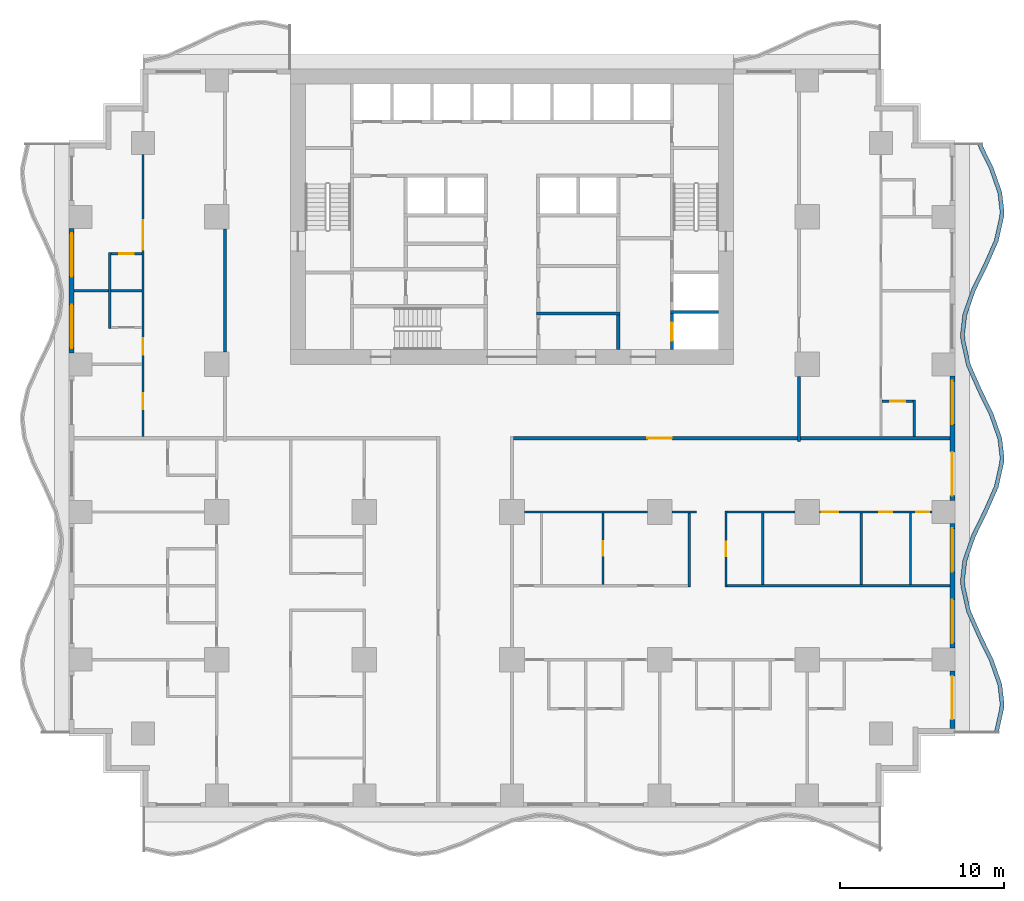
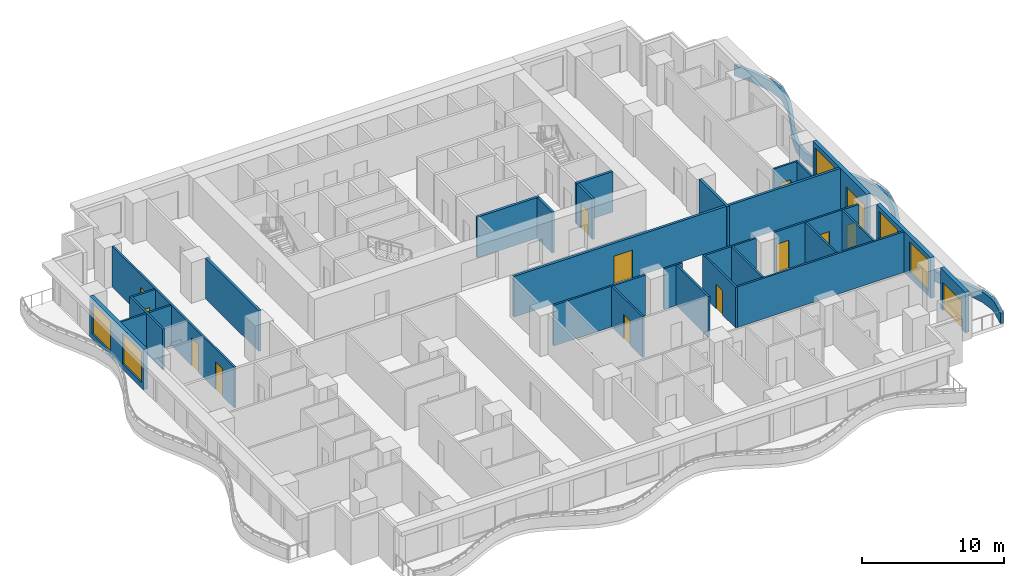
# One storey, part 4 of 14: 31 walls, 14 doors, 5 windows, 19 openings.
"""IFC4 building model written with IfcOpenShell, lengths in metres."""

from ifc_helpers import new_model, si_unit, direction, frame, frame_2d, origin, place, context, subcontext, project, spatial, polyline, rectangle, outline, extrude, material, layer, layer_set, type_object, element, fill, save


model = new_model("IFC4")

# Units and contexts
model_context = context("Model", 3, precision=1e-05, world=origin(), true_north=direction((0.0, 1.0)))
body_context = subcontext(model_context, "Body", "Model", "MODEL_VIEW")
ifc_project = project(units=[si_unit("LENGTHUNIT", "METRE"), si_unit("AREAUNIT", "SQUARE_METRE"), si_unit("VOLUMEUNIT", "CUBIC_METRE"), si_unit("PLANEANGLEUNIT", "RADIAN"), si_unit("MASSUNIT", "GRAM", prefix="KILO")], contexts=[model_context])

# Site, building, storey
site_placement = place(None, origin())
site = spatial("IfcSite", under=ifc_project, at=site_placement, CompositionType="ELEMENT")
building_placement = place(site_placement, origin())
building = spatial("IfcBuilding", under=site, at=building_placement, Name="Orbiselva Terraces", CompositionType="ELEMENT")
storey_placement = place(building_placement, frame((0.0, 0.0, 49.2)))
storey = spatial("IfcBuildingStorey", under=building, at=storey_placement, Name="L12", CompositionType="ELEMENT", Elevation=49.2)

# Walls
ifc_material_1 = material(Name="Concrete C60/75", Category="concrete")
ifc_layer_1 = layer(ifc_material_1, 0.2)
ifc_layer_set_1 = layer_set([ifc_layer_1], Name="Concrete C60/75")
wall_type_1 = type_object("IfcWallType", Name="CORE-WALL-SHEAR-200", PredefinedType="SHEAR", material=ifc_layer_set_1)
wall_1_placement = place(storey_placement, frame((1.5, 7.6, 0.0), z_axis=(0.0, 0.0, 1.0), x_axis=(1.0, 0.0, 0.0)))
element("IfcWall", 1, at=wall_1_placement, inside=storey, type_object=wall_type_1, Name="L12 core wall 30", PredefinedType="SHEAR", context=body_context, shape_type="SweptSolid", body=[
    extrude(rectangle(XDim=5.075, YDim=0.2, at=frame_2d((2.5375, 0.0))), origin(), (0.0, 0.0, 1.0), 3.5),
])
wall_2_placement = place(storey_placement, frame((6.475, 5.4, 0.0), z_axis=(0.0, 0.0, 1.0), x_axis=(0.0, 1.0, 0.0)))
element("IfcWall", 2, at=wall_2_placement, inside=storey, type_object=wall_type_1, Name="L12 core wall 40", PredefinedType="SHEAR", context=body_context, shape_type="SweptSolid", body=[
    extrude(rectangle(XDim=2.1, YDim=0.2, at=frame_2d((1.05, 0.0))), origin(), (0.0, 0.0, 1.0), 3.5),
])

# Wall, opening, door
wall_3_placement = place(storey_placement, frame((9.75, 5.4, 0.0), z_axis=(0.0, 0.0, 1.0), x_axis=(0.0, 1.0, 0.0)))
wall_3 = element("IfcWall", 3, at=wall_3_placement, inside=storey, type_object=wall_type_1, Name="L12 core wall 47", PredefinedType="SHEAR", context=body_context, shape_type="SweptSolid", body=[
    extrude(rectangle(XDim=2.2, YDim=0.2, at=frame_2d((1.1, 0.0))), origin(), (0.0, 0.0, 1.0), 3.5),
])
opening_1_placement = place(wall_3_placement, frame((0.55, 0.0, 0.0)))
opening_1 = element("IfcOpeningElement", 4, at=opening_1_placement, cuts=wall_3, Name="Opening LD-FF1", PredefinedType="OPENING", context=body_context, shape_type="SweptSolid", body=[
    extrude(rectangle(XDim=1.1, YDim=2.1, at=frame_2d((0.55, 1.05))), frame((0.0, 0.11, 0.0), z_axis=(0.0, -1.0, 0.0), x_axis=(1.0, 0.0, 0.0)), (0.0, 0.0, 1.0), 0.22),
])
ifc_material_2 = material(Name="Stainless steel landing door", Category="steel")
door_type_1 = type_object("IfcDoorType", Name="LANDING DOOR 1100", OperationType="SLIDING_TO_LEFT", PredefinedType="DOOR", material=ifc_material_2)
door_1_placement = place(opening_1_placement, origin())
door_1 = element("IfcDoor", 5, at=door_1_placement, inside=storey, type_object=door_type_1, Name="L12 landing door FF1", OperationType="SLIDING_TO_RIGHT", OverallHeight=2.1, OverallWidth=1.1, PredefinedType="DOOR", context=body_context, shape_type="SweptSolid", body=[
    extrude(rectangle(XDim=1.1, YDim=2.1, at=frame_2d((0.55, 1.05))), frame((0.0, 0.025, 0.0), z_axis=(0.0, -1.0, 0.0), x_axis=(1.0, 0.0, 0.0)), (0.0, 0.0, 1.0), 0.05),
])
fill(opening_1, door_1)

# Walls
wall_4_placement = place(storey_placement, frame((9.65, 7.7, 0.0), z_axis=(0.0, 0.0, 1.0), x_axis=(1.0, 0.0, 0.0)))
element("IfcWall", 6, at=wall_4_placement, inside=storey, type_object=wall_type_1, Name="L12 core wall 48", PredefinedType="SHEAR", context=body_context, shape_type="SweptSolid", body=[
    extrude(rectangle(XDim=2.95, YDim=0.2, at=frame_2d((1.475, 0.0))), origin(), (0.0, 0.0, 1.0), 3.5),
])
ifc_material_3 = material(Name="Concrete C40/50", Category="concrete")
ifc_layer_2 = layer(ifc_material_3, 0.25)
ifc_layer_set_2 = layer_set([ifc_layer_2], Name="Concrete C40/50")
wall_type_2 = type_object("IfcWallType", Name="ENV-PLANTER-250x900", PredefinedType="USERDEFINED", material=ifc_layer_set_2)
wall_5_placement = place(storey_placement, origin())
element("IfcWall", 7, at=wall_5_placement, inside=storey, type_object=wall_type_2, Name="Balcony planter L12 E", ObjectType="PLANTER", PredefinedType="USERDEFINED", context=body_context, shape_type="SweptSolid", body=[
    extrude(outline(polyline([(29.648528, -18.0), (29.985226, -16.5), (30.0, -16.125), (29.869208, -15.0), (29.344789, -13.5), (28.612279, -12.0), (27.951472, -10.5), (27.614774, -9.0), (27.6, -8.625), (27.730792, -7.5), (28.255211, -6.0), (28.987721, -4.5), (29.648528, -3.0), (29.985226, -1.5), (30.0, -1.125), (29.869208, 0.0), (29.344789, 1.5), (28.612279, 3.0), (27.951472, 4.5), (27.614774, 6.0), (27.6, 6.375), (27.730792, 7.5), (28.255211, 9.0), (28.987721, 10.5), (29.648528, 12.0), (29.985226, 13.5), (30.0, 13.875), (29.869208, 15.0), (29.344789, 16.5), (28.612279, 18.0), (28.387634, 17.890297), (29.113667, 16.40356), (29.624078, 14.943629), (29.749429, 13.865428), (29.736315, 13.532565), (29.40993, 12.078508), (28.760919, 10.605286), (28.024089, 9.09644), (27.485662, 7.556371), (27.349429, 6.384572), (27.365863, 5.967435), (27.712874, 4.421492), (28.385477, 2.894714), (29.113667, 1.40356), (29.624078, -0.056371), (29.749429, -1.134572), (29.736315, -1.467435), (29.40993, -2.921492), (28.760919, -4.394714), (28.024089, -5.90356), (27.485662, -7.443629), (27.349429, -8.615428), (27.365863, -9.032565), (27.712874, -10.578508), (28.385477, -12.105286), (29.113667, -13.59644), (29.624078, -15.056371), (29.749429, -16.134572), (29.736315, -16.467435), (29.404598, -17.945246), (29.648528, -18.0)])), origin(), (0.0, 0.0, 1.0), 0.9),
])

# Wall, opening, door
ifc_material_4 = material(Name="Terracotta cladding on masonry backing", Category="masonry")
ifc_layer_3 = layer(ifc_material_4, 0.3)
ifc_layer_set_3 = layer_set([ifc_layer_3], Name="Terracotta cladding on masonry backing")
wall_type_3 = type_object("IfcWallType", Name="ENV-WALL-TERRACOTTA-300", PredefinedType="SOLIDWALL", material=ifc_layer_set_3)
wall_6_placement = place(storey_placement, frame((26.85, -14.2, 0.0), z_axis=(0.0, 0.0, 1.0), x_axis=(0.0, -1.0, 0.0)))
wall_6 = element("IfcWall", 8, at=wall_6_placement, inside=storey, type_object=wall_type_3, Name="Facade wall L12 E", PredefinedType="SOLIDWALL", context=body_context, shape_type="SweptSolid", body=[
    extrude(rectangle(XDim=3.5, YDim=0.3, at=frame_2d((1.75, 0.0))), origin(), (0.0, 0.0, 1.0), 3.5),
])
opening_2_placement = place(wall_6_placement, frame((0.3, 0.0, 0.0)))
opening_2 = element("IfcOpeningElement", 9, at=opening_2_placement, cuts=wall_6, Name="Opening Z1-D-E05", PredefinedType="OPENING", context=body_context, shape_type="SweptSolid", body=[
    extrude(rectangle(XDim=2.65, YDim=2.4, at=frame_2d((1.325, 1.2))), frame((0.0, 0.16, 0.0), z_axis=(0.0, -1.0, 0.0), x_axis=(1.0, 0.0, 0.0)), (0.0, 0.0, 1.0), 0.32),
])
ifc_material_5 = material(Name="Clear low-e glazing in aluminium frame", Category="aluminium")
door_type_2 = type_object("IfcDoorType", Name="BALCONY DOOR 2650 X 2400", OperationType="DOUBLE_DOOR_SLIDING", PredefinedType="DOOR", material=ifc_material_5)
door_2_placement = place(opening_2_placement, origin())
door_2 = element("IfcDoor", 10, at=door_2_placement, inside=storey, type_object=door_type_2, Name="Z1-D-E05", OperationType="SINGLE_SWING_LEFT", OverallHeight=2.4, OverallWidth=2.65, PredefinedType="DOOR", context=body_context, shape_type="SweptSolid", body=[
    extrude(rectangle(XDim=2.65, YDim=2.4, at=frame_2d((1.325, 1.2))), frame((0.0, 0.025, 0.0), z_axis=(0.0, -1.0, 0.0), x_axis=(1.0, 0.0, 0.0)), (0.0, 0.0, 1.0), 0.05),
])
fill(opening_2, door_2)

# Wall, openings, windows
wall_7_placement = place(storey_placement, frame((26.85, -5.2, 0.0), z_axis=(0.0, 0.0, 1.0), x_axis=(0.0, -1.0, 0.0)))
wall_7 = element("IfcWall", 11, at=wall_7_placement, inside=storey, type_object=wall_type_3, Name="Facade wall L12 E", PredefinedType="SOLIDWALL", context=body_context, shape_type="SweptSolid", body=[
    extrude(rectangle(XDim=7.6, YDim=0.3, at=frame_2d((3.8, 0.0))), origin(), (0.0, 0.0, 1.0), 3.5),
])
opening_3_placement = place(wall_7_placement, frame((4.65, 0.0, 0.45)))
opening_3 = element("IfcOpeningElement", 12, at=opening_3_placement, cuts=wall_7, Name="Opening WN3", PredefinedType="OPENING", context=body_context, shape_type="SweptSolid", body=[
    extrude(rectangle(XDim=2.65, YDim=2.65, at=frame_2d((1.325, 1.325))), frame((0.0, 0.16, 0.0), z_axis=(0.0, -1.0, 0.0), x_axis=(1.0, 0.0, 0.0)), (0.0, 0.0, 1.0), 0.32),
])
opening_4_placement = place(wall_7_placement, frame((0.3, 0.0, 0.45)))
opening_4 = element("IfcOpeningElement", 13, at=opening_4_placement, cuts=wall_7, Name="Opening WN3", PredefinedType="OPENING", context=body_context, shape_type="SweptSolid", body=[
    extrude(rectangle(XDim=2.65, YDim=2.65, at=frame_2d((1.325, 1.325))), frame((0.0, 0.16, 0.0), z_axis=(0.0, -1.0, 0.0), x_axis=(1.0, 0.0, 0.0)), (0.0, 0.0, 1.0), 0.32),
])
window_type = type_object("IfcWindowType", Name="WINDOW 2650 X 2650 S450", PartitioningType="TRIPLE_PANEL_VERTICAL", PredefinedType="WINDOW", material=ifc_material_5)
window_1_placement = place(opening_3_placement, origin())
window_1 = element("IfcWindow", 14, at=window_1_placement, inside=storey, type_object=window_type, Name="Window L12 E", OverallHeight=2.65, OverallWidth=2.65, PartitioningType="SINGLE_PANEL", PredefinedType="WINDOW", context=body_context, shape_type="SweptSolid", body=[
    extrude(rectangle(XDim=2.65, YDim=2.65, at=frame_2d((1.325, 1.325))), frame((0.0, 0.03, 0.0), z_axis=(0.0, -1.0, 0.0), x_axis=(1.0, 0.0, 0.0)), (0.0, 0.0, 1.0), 0.06),
])
fill(opening_3, window_1)
window_2_placement = place(opening_4_placement, origin())
window_2 = element("IfcWindow", 15, at=window_2_placement, inside=storey, type_object=window_type, Name="Window L12 E", OverallHeight=2.65, OverallWidth=2.65, PartitioningType="SINGLE_PANEL", PredefinedType="WINDOW", context=body_context, shape_type="SweptSolid", body=[
    extrude(rectangle(XDim=2.65, YDim=2.65, at=frame_2d((1.325, 1.325))), frame((0.0, 0.03, 0.0), z_axis=(0.0, -1.0, 0.0), x_axis=(1.0, 0.0, 0.0)), (0.0, 0.0, 1.0), 0.06),
])
fill(opening_4, window_2)

# Wall, openings, door, window
wall_8_placement = place(storey_placement, frame((26.85, 3.8, 0.0), z_axis=(0.0, 0.0, 1.0), x_axis=(0.0, -1.0, 0.0)))
wall_8 = element("IfcWall", 16, at=wall_8_placement, inside=storey, type_object=wall_type_3, Name="Facade wall L12 E", PredefinedType="SOLIDWALL", context=body_context, shape_type="SweptSolid", body=[
    extrude(rectangle(XDim=7.6, YDim=0.3, at=frame_2d((3.8, 0.0))), origin(), (0.0, 0.0, 1.0), 3.5),
])
opening_5_placement = place(wall_8_placement, frame((4.65, 0.0, 0.0)))
opening_5 = element("IfcOpeningElement", 17, at=opening_5_placement, cuts=wall_8, Name="Opening Z1-D-E06", PredefinedType="OPENING", context=body_context, shape_type="SweptSolid", body=[
    extrude(rectangle(XDim=2.65, YDim=2.4, at=frame_2d((1.325, 1.2))), frame((0.0, 0.16, 0.0), z_axis=(0.0, -1.0, 0.0), x_axis=(1.0, 0.0, 0.0)), (0.0, 0.0, 1.0), 0.32),
])
opening_6_placement = place(wall_8_placement, frame((0.3, 0.0, 0.45)))
opening_6 = element("IfcOpeningElement", 18, at=opening_6_placement, cuts=wall_8, Name="Opening WN3", PredefinedType="OPENING", context=body_context, shape_type="SweptSolid", body=[
    extrude(rectangle(XDim=2.65, YDim=2.65, at=frame_2d((1.325, 1.325))), frame((0.0, 0.16, 0.0), z_axis=(0.0, -1.0, 0.0), x_axis=(1.0, 0.0, 0.0)), (0.0, 0.0, 1.0), 0.32),
])
door_3_placement = place(opening_5_placement, origin())
door_3 = element("IfcDoor", 19, at=door_3_placement, inside=storey, type_object=door_type_2, Name="Z1-D-E06", OperationType="SINGLE_SWING_LEFT", OverallHeight=2.4, OverallWidth=2.65, PredefinedType="DOOR", context=body_context, shape_type="SweptSolid", body=[
    extrude(rectangle(XDim=2.65, YDim=2.4, at=frame_2d((1.325, 1.2))), frame((0.0, 0.025, 0.0), z_axis=(0.0, -1.0, 0.0), x_axis=(1.0, 0.0, 0.0)), (0.0, 0.0, 1.0), 0.05),
])
fill(opening_5, door_3)
window_3_placement = place(opening_6_placement, origin())
window_3 = element("IfcWindow", 20, at=window_3_placement, inside=storey, type_object=window_type, Name="Window L12 E", OverallHeight=2.65, OverallWidth=2.65, PartitioningType="SINGLE_PANEL", PredefinedType="WINDOW", context=body_context, shape_type="SweptSolid", body=[
    extrude(rectangle(XDim=2.65, YDim=2.65, at=frame_2d((1.325, 1.325))), frame((0.0, 0.03, 0.0), z_axis=(0.0, -1.0, 0.0), x_axis=(1.0, 0.0, 0.0)), (0.0, 0.0, 1.0), 0.06),
])
fill(opening_6, window_3)

# Wall, openings, windows
wall_9_placement = place(storey_placement, frame((-26.85, 5.2, 0.0), z_axis=(0.0, 0.0, 1.0), x_axis=(0.0, 1.0, 0.0)))
wall_9 = element("IfcWall", 21, at=wall_9_placement, inside=storey, type_object=wall_type_3, Name="Facade wall L12 W", PredefinedType="SOLIDWALL", context=body_context, shape_type="SweptSolid", body=[
    extrude(rectangle(XDim=7.6, YDim=0.3, at=frame_2d((3.8, 0.0))), origin(), (0.0, 0.0, 1.0), 3.5),
])
opening_7_placement = place(wall_9_placement, frame((4.65, 0.0, 0.45)))
opening_7 = element("IfcOpeningElement", 22, at=opening_7_placement, cuts=wall_9, Name="Opening WN3", PredefinedType="OPENING", context=body_context, shape_type="SweptSolid", body=[
    extrude(rectangle(XDim=2.65, YDim=2.65, at=frame_2d((1.325, 1.325))), frame((0.0, 0.16, 0.0), z_axis=(0.0, -1.0, 0.0), x_axis=(1.0, 0.0, 0.0)), (0.0, 0.0, 1.0), 0.32),
])
opening_8_placement = place(wall_9_placement, frame((0.3, 0.0, 0.45)))
opening_8 = element("IfcOpeningElement", 23, at=opening_8_placement, cuts=wall_9, Name="Opening WN3", PredefinedType="OPENING", context=body_context, shape_type="SweptSolid", body=[
    extrude(rectangle(XDim=2.65, YDim=2.65, at=frame_2d((1.325, 1.325))), frame((0.0, 0.16, 0.0), z_axis=(0.0, -1.0, 0.0), x_axis=(1.0, 0.0, 0.0)), (0.0, 0.0, 1.0), 0.32),
])
window_4_placement = place(opening_7_placement, origin())
window_4 = element("IfcWindow", 24, at=window_4_placement, inside=storey, type_object=window_type, Name="Window L12 W", OverallHeight=2.65, OverallWidth=2.65, PartitioningType="SINGLE_PANEL", PredefinedType="WINDOW", context=body_context, shape_type="SweptSolid", body=[
    extrude(rectangle(XDim=2.65, YDim=2.65, at=frame_2d((1.325, 1.325))), frame((0.0, 0.03, 0.0), z_axis=(0.0, -1.0, 0.0), x_axis=(1.0, 0.0, 0.0)), (0.0, 0.0, 1.0), 0.06),
])
fill(opening_7, window_4)
window_5_placement = place(opening_8_placement, origin())
window_5 = element("IfcWindow", 25, at=window_5_placement, inside=storey, type_object=window_type, Name="Window L12 W", OverallHeight=2.65, OverallWidth=2.65, PartitioningType="SINGLE_PANEL", PredefinedType="WINDOW", context=body_context, shape_type="SweptSolid", body=[
    extrude(rectangle(XDim=2.65, YDim=2.65, at=frame_2d((1.325, 1.325))), frame((0.0, 0.03, 0.0), z_axis=(0.0, -1.0, 0.0), x_axis=(1.0, 0.0, 0.0)), (0.0, 0.0, 1.0), 0.06),
])
fill(opening_8, window_5)

# Wall, opening, door
ifc_material_6 = material(Name="Plasterboard on steel stud partition", Category="steel")
ifc_layer_4 = layer(ifc_material_6, 0.2)
ifc_layer_set_4 = layer_set([ifc_layer_4], Name="Plasterboard on steel stud partition")
wall_type_4 = type_object("IfcWallType", Name="UNIT-ENTRANCE-WALL-200", PredefinedType="PARTITIONING", material=ifc_layer_set_4)
wall_10_placement = place(storey_placement, frame((17.4, 0.0, 0.0), z_axis=(0.0, 0.0, 1.0), x_axis=(-1.0, 0.0, 0.0)))
wall_10 = element("IfcWall", 26, at=wall_10_placement, inside=storey, type_object=wall_type_4, Name="PARTITION L12-029", PredefinedType="PARTITIONING", context=body_context, shape_type="SweptSolid", body=[
    extrude(rectangle(XDim=17.3, YDim=0.2, at=frame_2d((8.65, 0.0))), origin(), (0.0, 0.0, 1.0), 3.5),
])
opening_9_placement = place(wall_10_placement, frame((7.65, 0.0, 0.0)))
opening_9 = element("IfcOpeningElement", 27, at=opening_9_placement, cuts=wall_10, Name="Opening Z1-D-27", PredefinedType="OPENING", context=body_context, shape_type="SweptSolid", body=[
    extrude(rectangle(XDim=1.5, YDim=2.4, at=frame_2d((0.75, 1.2))), frame((0.0, 0.11, 0.0), z_axis=(0.0, -1.0, 0.0), x_axis=(1.0, 0.0, 0.0)), (0.0, 0.0, 1.0), 0.22),
])
ifc_material_7 = material(Name="Painted timber door leaf", Category="wood")
door_type_3 = type_object("IfcDoorType", Name="ENTRANCE DOUBLE DOOR 1500", OperationType="NOTDEFINED", PredefinedType="DOOR", material=ifc_material_7)
door_4_placement = place(opening_9_placement, origin())
door_4 = element("IfcDoor", 28, at=door_4_placement, inside=storey, type_object=door_type_3, Name="Z1-D-27", OperationType="DOUBLE_DOOR_SINGLE_SWING", OverallHeight=2.4, OverallWidth=1.5, PredefinedType="DOOR", context=body_context, shape_type="SweptSolid", body=[
    extrude(rectangle(XDim=1.5, YDim=2.4, at=frame_2d((0.75, 1.2))), frame((0.0, 0.025, 0.0), z_axis=(0.0, -1.0, 0.0), x_axis=(1.0, 0.0, 0.0)), (0.0, 0.0, 1.0), 0.05),
])
fill(opening_9, door_4)

# Walls
wall_11_placement = place(storey_placement, frame((-17.5, 5.25, 0.0), z_axis=(0.0, 0.0, 1.0), x_axis=(0.0, 1.0, 0.0)))
element("IfcWall", 29, at=wall_11_placement, inside=storey, type_object=wall_type_4, Name="PARTITION L12-051", PredefinedType="PARTITIONING", context=body_context, shape_type="SweptSolid", body=[
    extrude(rectangle(XDim=7.5, YDim=0.2, at=frame_2d((3.75, 0.0))), origin(), (0.0, 0.0, 1.0), 3.5),
])
wall_12_placement = place(storey_placement, frame((17.5, -0.2, 0.0), z_axis=(0.0, 0.0, 1.0), x_axis=(0.0, 1.0, 0.0)))
element("IfcWall", 30, at=wall_12_placement, inside=storey, type_object=wall_type_4, Name="PARTITION L12-075", PredefinedType="PARTITIONING", context=body_context, shape_type="SweptSolid", body=[
    extrude(rectangle(XDim=3.95, YDim=0.2, at=frame_2d((1.975, 0.0))), origin(), (0.0, 0.0, 1.0), 3.5),
])
ifc_layer_5 = layer(ifc_material_6, 0.15)
ifc_layer_set_5 = layer_set([ifc_layer_5], Name="Plasterboard on steel stud partition")
wall_type_5 = type_object("IfcWallType", Name="UNIT-PARTITION-150", PredefinedType="PARTITIONING", material=ifc_layer_set_5)
wall_13_placement = place(storey_placement, frame((13.125, -9.0, 0.0), z_axis=(0.0, 0.0, 1.0), x_axis=(1.0, 0.0, 0.0)))
element("IfcWall", 31, at=wall_13_placement, inside=storey, type_object=wall_type_5, Name="PARTITION L12-018", PredefinedType="PARTITIONING", context=body_context, shape_type="SweptSolid", body=[
    extrude(rectangle(XDim=13.575, YDim=0.15, at=frame_2d((6.7875, 0.0))), origin(), (0.0, 0.0, 1.0), 3.5),
])
wall_14_placement = place(storey_placement, frame((0.75, -4.5, 0.0), z_axis=(0.0, 0.0, 1.0), x_axis=(1.0, 0.0, 0.0)))
element("IfcWall", 32, at=wall_14_placement, inside=storey, type_object=wall_type_5, Name="PARTITION L12-023", PredefinedType="PARTITIONING", context=body_context, shape_type="SweptSolid", body=[
    extrude(rectangle(XDim=7.5, YDim=0.15, at=frame_2d((3.75, 0.0))), origin(), (0.0, 0.0, 1.0), 3.5),
])
wall_15_placement = place(storey_placement, frame((9.75, -4.5, 0.0), z_axis=(0.0, 0.0, 1.0), x_axis=(1.0, 0.0, 0.0)))
element("IfcWall", 33, at=wall_15_placement, inside=storey, type_object=wall_type_5, Name="PARTITION L12-024", PredefinedType="PARTITIONING", context=body_context, shape_type="SweptSolid", body=[
    extrude(rectangle(XDim=1.5, YDim=0.15, at=frame_2d((0.75, 0.0))), origin(), (0.0, 0.0, 1.0), 3.5),
])
wall_16_placement = place(storey_placement, frame((13.125, -4.5, 0.0), z_axis=(0.0, 0.0, 1.0), x_axis=(1.0, 0.0, 0.0)))
element("IfcWall", 34, at=wall_16_placement, inside=storey, type_object=wall_type_5, Name="PARTITION L12-025", PredefinedType="PARTITIONING", context=body_context, shape_type="SweptSolid", body=[
    extrude(rectangle(XDim=4.125, YDim=0.15, at=frame_2d((2.0625, 0.0))), origin(), (0.0, 0.0, 1.0), 3.5),
])

# Wall, openings, doors
wall_17_placement = place(storey_placement, frame((25.6, -4.5, 0.0), z_axis=(0.0, 0.0, 1.0), x_axis=(-1.0, 0.0, 0.0)))
wall_17 = element("IfcWall", 35, at=wall_17_placement, inside=storey, type_object=wall_type_5, Name="PARTITION L12-026", PredefinedType="PARTITIONING", context=body_context, shape_type="SweptSolid", body=[
    extrude(rectangle(XDim=6.85, YDim=0.15, at=frame_2d((3.425, 0.0))), origin(), (0.0, 0.0, 1.0), 3.5),
])
opening_10_placement = place(wall_17_placement, frame((0.15, 0.0, 0.0)))
opening_10 = element("IfcOpeningElement", 36, at=opening_10_placement, cuts=wall_17, Name="Opening Z1-D-28", PredefinedType="OPENING", context=body_context, shape_type="SweptSolid", body=[
    extrude(rectangle(XDim=0.8, YDim=2.0, at=frame_2d((0.4, 1.0))), frame((0.0, 0.085, 0.0), z_axis=(0.0, -1.0, 0.0), x_axis=(1.0, 0.0, 0.0)), (0.0, 0.0, 1.0), 0.17),
])
opening_11_placement = place(wall_17_placement, frame((2.4, 0.0, 0.0)))
opening_11 = element("IfcOpeningElement", 37, at=opening_11_placement, cuts=wall_17, Name="Opening Z1-D-29", PredefinedType="OPENING", context=body_context, shape_type="SweptSolid", body=[
    extrude(rectangle(XDim=0.8, YDim=2.0, at=frame_2d((0.4, 1.0))), frame((0.0, 0.085, 0.0), z_axis=(0.0, -1.0, 0.0), x_axis=(1.0, 0.0, 0.0)), (0.0, 0.0, 1.0), 0.17),
])
opening_12_placement = place(wall_17_placement, frame((5.7, 0.0, 0.0)))
opening_12 = element("IfcOpeningElement", 38, at=opening_12_placement, cuts=wall_17, Name="Opening Z1-D-30", PredefinedType="OPENING", context=body_context, shape_type="SweptSolid", body=[
    extrude(rectangle(XDim=1.0, YDim=2.4, at=frame_2d((0.5, 1.2))), frame((0.0, 0.085, 0.0), z_axis=(0.0, -1.0, 0.0), x_axis=(1.0, 0.0, 0.0)), (0.0, 0.0, 1.0), 0.17),
])
door_type_4 = type_object("IfcDoorType", Name="ROOM DOOR 1000", OperationType="NOTDEFINED", PredefinedType="DOOR", material=ifc_material_7)
door_5_placement = place(opening_12_placement, origin())
door_5 = element("IfcDoor", 39, at=door_5_placement, inside=storey, type_object=door_type_4, Name="Z1-D-30", OperationType="SINGLE_SWING_RIGHT", OverallHeight=2.4, OverallWidth=1.0, PredefinedType="DOOR", context=body_context, shape_type="SweptSolid", body=[
    extrude(rectangle(XDim=1.0, YDim=2.4, at=frame_2d((0.5, 1.2))), frame((0.0, 0.025, 0.0), z_axis=(0.0, -1.0, 0.0), x_axis=(1.0, 0.0, 0.0)), (0.0, 0.0, 1.0), 0.05),
])
fill(opening_12, door_5)
door_type_5 = type_object("IfcDoorType", Name="STORE DOOR 800", OperationType="NOTDEFINED", PredefinedType="DOOR", material=ifc_material_7)
door_6_placement = place(opening_10_placement, origin())
door_6 = element("IfcDoor", 40, at=door_6_placement, inside=storey, type_object=door_type_5, Name="Z1-D-28", OperationType="SINGLE_SWING_LEFT", OverallHeight=2.0, OverallWidth=0.8, PredefinedType="DOOR", context=body_context, shape_type="SweptSolid", body=[
    extrude(rectangle(XDim=0.8, YDim=2.0, at=frame_2d((0.4, 1.0))), frame((0.0, 0.025, 0.0), z_axis=(0.0, -1.0, 0.0), x_axis=(1.0, 0.0, 0.0)), (0.0, 0.0, 1.0), 0.05),
])
fill(opening_10, door_6)
door_7_placement = place(opening_11_placement, origin())
door_7 = element("IfcDoor", 41, at=door_7_placement, inside=storey, type_object=door_type_5, Name="Z1-D-29", OperationType="SINGLE_SWING_LEFT", OverallHeight=2.0, OverallWidth=0.8, PredefinedType="DOOR", context=body_context, shape_type="SweptSolid", body=[
    extrude(rectangle(XDim=0.8, YDim=2.0, at=frame_2d((0.4, 1.0))), frame((0.0, 0.025, 0.0), z_axis=(0.0, -1.0, 0.0), x_axis=(1.0, 0.0, 0.0)), (0.0, 0.0, 1.0), 0.05),
])
fill(opening_11, door_7)

# Wall, opening, door
wall_18_placement = place(storey_placement, frame((24.45, 2.25, 0.0), z_axis=(0.0, 0.0, 1.0), x_axis=(-1.0, 0.0, 0.0)))
wall_18 = element("IfcWall", 42, at=wall_18_placement, inside=storey, type_object=wall_type_5, Name="PARTITION L12-032", PredefinedType="PARTITIONING", context=body_context, shape_type="SweptSolid", body=[
    extrude(rectangle(XDim=1.875, YDim=0.15, at=frame_2d((0.9375, 0.0))), origin(), (0.0, 0.0, 1.0), 3.5),
])
opening_13_placement = place(wall_18_placement, frame((0.475, 0.0, 0.0)))
opening_13 = element("IfcOpeningElement", 43, at=opening_13_placement, cuts=wall_18, Name="Opening Z1-D-09", PredefinedType="OPENING", context=body_context, shape_type="SweptSolid", body=[
    extrude(rectangle(XDim=0.9, YDim=2.1, at=frame_2d((0.45, 1.05))), frame((0.0, 0.085, 0.0), z_axis=(0.0, -1.0, 0.0), x_axis=(1.0, 0.0, 0.0)), (0.0, 0.0, 1.0), 0.17),
])
door_type_6 = type_object("IfcDoorType", Name="BATH DOOR 900", OperationType="NOTDEFINED", PredefinedType="DOOR", material=ifc_material_7)
door_8_placement = place(opening_13_placement, origin())
door_8 = element("IfcDoor", 44, at=door_8_placement, inside=storey, type_object=door_type_6, Name="Z1-D-09", OperationType="SINGLE_SWING_LEFT", OverallHeight=2.1, OverallWidth=0.9, PredefinedType="DOOR", context=body_context, shape_type="SweptSolid", body=[
    extrude(rectangle(XDim=0.9, YDim=2.1, at=frame_2d((0.45, 1.05))), frame((0.0, 0.025, 0.0), z_axis=(0.0, -1.0, 0.0), x_axis=(1.0, 0.0, 0.0)), (0.0, 0.0, 1.0), 0.05),
])
fill(opening_13, door_8)

# Walls
wall_19_placement = place(storey_placement, frame((-26.7, 9.0, 0.0), z_axis=(0.0, 0.0, 1.0), x_axis=(1.0, 0.0, 0.0)))
element("IfcWall", 45, at=wall_19_placement, inside=storey, type_object=wall_type_5, Name="PARTITION L12-035", PredefinedType="PARTITIONING", context=body_context, shape_type="SweptSolid", body=[
    extrude(rectangle(XDim=2.1, YDim=0.15, at=frame_2d((1.05, 0.0))), origin(), (0.0, 0.0, 1.0), 3.5),
])
wall_20_placement = place(storey_placement, frame((-24.45, 9.0, 0.0), z_axis=(0.0, 0.0, 1.0), x_axis=(1.0, 0.0, 0.0)))
element("IfcWall", 46, at=wall_20_placement, inside=storey, type_object=wall_type_5, Name="PARTITION L12-036", PredefinedType="PARTITIONING", context=body_context, shape_type="SweptSolid", body=[
    extrude(rectangle(XDim=1.875, YDim=0.15, at=frame_2d((0.9375, 0.0))), origin(), (0.0, 0.0, 1.0), 3.5),
])

# Wall, opening, door
wall_21_placement = place(storey_placement, frame((-22.575, 11.25, 0.0), z_axis=(0.0, 0.0, 1.0), x_axis=(-1.0, 0.0, 0.0)))
wall_21 = element("IfcWall", 47, at=wall_21_placement, inside=storey, type_object=wall_type_5, Name="PARTITION L12-038", PredefinedType="PARTITIONING", context=body_context, shape_type="SweptSolid", body=[
    extrude(rectangle(XDim=1.875, YDim=0.15, at=frame_2d((0.9375, 0.0))), origin(), (0.0, 0.0, 1.0), 3.5),
])
opening_14_placement = place(wall_21_placement, frame((0.475, 0.0, 0.0)))
opening_14 = element("IfcOpeningElement", 48, at=opening_14_placement, cuts=wall_21, Name="Opening Z1-D-06", PredefinedType="OPENING", context=body_context, shape_type="SweptSolid", body=[
    extrude(rectangle(XDim=0.9, YDim=2.1, at=frame_2d((0.45, 1.05))), frame((0.0, 0.085, 0.0), z_axis=(0.0, -1.0, 0.0), x_axis=(1.0, 0.0, 0.0)), (0.0, 0.0, 1.0), 0.17),
])
door_9_placement = place(opening_14_placement, origin())
door_9 = element("IfcDoor", 49, at=door_9_placement, inside=storey, type_object=door_type_6, Name="Z1-D-06", OperationType="SINGLE_SWING_LEFT", OverallHeight=2.1, OverallWidth=0.9, PredefinedType="DOOR", context=body_context, shape_type="SweptSolid", body=[
    extrude(rectangle(XDim=0.9, YDim=2.1, at=frame_2d((0.45, 1.05))), frame((0.0, 0.025, 0.0), z_axis=(0.0, -1.0, 0.0), x_axis=(1.0, 0.0, 0.0)), (0.0, 0.0, 1.0), 0.05),
])
fill(opening_14, door_9)

# Wall
wall_22_placement = place(storey_placement, frame((-24.525, 6.675, 0.0), z_axis=(0.0, 0.0, 1.0), x_axis=(0.0, 1.0, 0.0)))
element("IfcWall", 50, at=wall_22_placement, inside=storey, type_object=wall_type_5, Name="PARTITION L12-041", PredefinedType="PARTITIONING", context=body_context, shape_type="SweptSolid", body=[
    extrude(rectangle(XDim=4.65, YDim=0.15, at=frame_2d((2.325, 0.0))), origin(), (0.0, 0.0, 1.0), 3.5),
])

# Wall, openings, doors
wall_23_placement = place(storey_placement, frame((-22.5, 0.1, 0.0), z_axis=(0.0, 0.0, 1.0), x_axis=(0.0, 1.0, 0.0)))
wall_23 = element("IfcWall", 51, at=wall_23_placement, inside=storey, type_object=wall_type_5, Name="PARTITION L12-042", PredefinedType="PARTITIONING", context=body_context, shape_type="SweptSolid", body=[
    extrude(rectangle(XDim=17.2, YDim=0.15, at=frame_2d((8.6, 0.0))), origin(), (0.0, 0.0, 1.0), 3.5),
])
opening_15_placement = place(wall_23_placement, frame((1.65, 0.0, 0.0)))
opening_15 = element("IfcOpeningElement", 52, at=opening_15_placement, cuts=wall_23, Name="Opening Z1-D-02", PredefinedType="OPENING", context=body_context, shape_type="SweptSolid", body=[
    extrude(rectangle(XDim=1.0, YDim=2.4, at=frame_2d((0.5, 1.2))), frame((0.0, 0.085, 0.0), z_axis=(0.0, -1.0, 0.0), x_axis=(1.0, 0.0, 0.0)), (0.0, 0.0, 1.0), 0.17),
])
opening_16_placement = place(wall_23_placement, frame((5.0, 0.0, 0.0)))
opening_16 = element("IfcOpeningElement", 53, at=opening_16_placement, cuts=wall_23, Name="Opening Z1-D-03", PredefinedType="OPENING", context=body_context, shape_type="SweptSolid", body=[
    extrude(rectangle(XDim=1.0, YDim=2.4, at=frame_2d((0.5, 1.2))), frame((0.0, 0.085, 0.0), z_axis=(0.0, -1.0, 0.0), x_axis=(1.0, 0.0, 0.0)), (0.0, 0.0, 1.0), 0.17),
])
opening_17_placement = place(wall_23_placement, frame((11.4, 0.0, 0.0)))
opening_17 = element("IfcOpeningElement", 54, at=opening_17_placement, cuts=wall_23, Name="Opening Z1-D-05", PredefinedType="OPENING", context=body_context, shape_type="SweptSolid", body=[
    extrude(rectangle(XDim=1.8, YDim=2.4, at=frame_2d((0.9, 1.2))), frame((0.0, 0.085, 0.0), z_axis=(0.0, -1.0, 0.0), x_axis=(1.0, 0.0, 0.0)), (0.0, 0.0, 1.0), 0.17),
])
door_type_7 = type_object("IfcDoorType", Name="DOUBLE DOOR 1800", OperationType="NOTDEFINED", PredefinedType="DOOR", material=ifc_material_7)
door_10_placement = place(opening_17_placement, origin())
door_10 = element("IfcDoor", 55, at=door_10_placement, inside=storey, type_object=door_type_7, Name="Z1-D-05", OperationType="DOUBLE_DOOR_SINGLE_SWING", OverallHeight=2.4, OverallWidth=1.8, PredefinedType="DOOR", context=body_context, shape_type="SweptSolid", body=[
    extrude(rectangle(XDim=1.8, YDim=2.4, at=frame_2d((0.9, 1.2))), frame((0.0, 0.025, 0.0), z_axis=(0.0, -1.0, 0.0), x_axis=(1.0, 0.0, 0.0)), (0.0, 0.0, 1.0), 0.05),
])
fill(opening_17, door_10)
door_11_placement = place(opening_15_placement, origin())
door_11 = element("IfcDoor", 56, at=door_11_placement, inside=storey, type_object=door_type_4, Name="Z1-D-02", OperationType="SINGLE_SWING_LEFT", OverallHeight=2.4, OverallWidth=1.0, PredefinedType="DOOR", context=body_context, shape_type="SweptSolid", body=[
    extrude(rectangle(XDim=1.0, YDim=2.4, at=frame_2d((0.5, 1.2))), frame((0.0, 0.025, 0.0), z_axis=(0.0, -1.0, 0.0), x_axis=(1.0, 0.0, 0.0)), (0.0, 0.0, 1.0), 0.05),
])
fill(opening_15, door_11)
door_12_placement = place(opening_16_placement, origin())
door_12 = element("IfcDoor", 57, at=door_12_placement, inside=storey, type_object=door_type_4, Name="Z1-D-03", OperationType="SINGLE_SWING_LEFT", OverallHeight=2.4, OverallWidth=1.0, PredefinedType="DOOR", context=body_context, shape_type="SweptSolid", body=[
    extrude(rectangle(XDim=1.0, YDim=2.4, at=frame_2d((0.5, 1.2))), frame((0.0, 0.025, 0.0), z_axis=(0.0, -1.0, 0.0), x_axis=(1.0, 0.0, 0.0)), (0.0, 0.0, 1.0), 0.05),
])
fill(opening_16, door_12)

# Wall, opening, door
wall_24_placement = place(storey_placement, frame((5.55, -8.925, 0.0), z_axis=(0.0, 0.0, 1.0), x_axis=(0.0, 1.0, 0.0)))
wall_24 = element("IfcWall", 58, at=wall_24_placement, inside=storey, type_object=wall_type_5, Name="PARTITION L12-066", PredefinedType="PARTITIONING", context=body_context, shape_type="SweptSolid", body=[
    extrude(rectangle(XDim=4.35, YDim=0.15, at=frame_2d((2.175, 0.0))), origin(), (0.0, 0.0, 1.0), 3.5),
])
opening_18_placement = place(wall_24_placement, frame((1.75, 0.0, 0.0)))
opening_18 = element("IfcOpeningElement", 59, at=opening_18_placement, cuts=wall_24, Name="Opening Z1-D-33", PredefinedType="OPENING", context=body_context, shape_type="SweptSolid", body=[
    extrude(rectangle(XDim=0.9, YDim=2.1, at=frame_2d((0.45, 1.05))), frame((0.0, 0.085, 0.0), z_axis=(0.0, -1.0, 0.0), x_axis=(1.0, 0.0, 0.0)), (0.0, 0.0, 1.0), 0.17),
])
door_13_placement = place(opening_18_placement, origin())
door_13 = element("IfcDoor", 60, at=door_13_placement, inside=storey, type_object=door_type_6, Name="Z1-D-33", OperationType="SINGLE_SWING_RIGHT", OverallHeight=2.1, OverallWidth=0.9, PredefinedType="DOOR", context=body_context, shape_type="SweptSolid", body=[
    extrude(rectangle(XDim=0.9, YDim=2.1, at=frame_2d((0.45, 1.05))), frame((0.0, 0.025, 0.0), z_axis=(0.0, -1.0, 0.0), x_axis=(1.0, 0.0, 0.0)), (0.0, 0.0, 1.0), 0.05),
])
fill(opening_18, door_13)

# Wall
wall_25_placement = place(storey_placement, frame((10.8, -9.075, 0.0), z_axis=(0.0, 0.0, 1.0), x_axis=(0.0, 1.0, 0.0)))
element("IfcWall", 61, at=wall_25_placement, inside=storey, type_object=wall_type_5, Name="PARTITION L12-069", PredefinedType="PARTITIONING", context=body_context, shape_type="SweptSolid", body=[
    extrude(rectangle(XDim=4.5, YDim=0.15, at=frame_2d((2.25, 0.0))), origin(), (0.0, 0.0, 1.0), 3.5),
])

# Wall, opening, door
wall_26_placement = place(storey_placement, frame((13.05, -4.425, 0.0), z_axis=(0.0, 0.0, 1.0), x_axis=(0.0, -1.0, 0.0)))
wall_26 = element("IfcWall", 62, at=wall_26_placement, inside=storey, type_object=wall_type_5, Name="PARTITION L12-071", PredefinedType="PARTITIONING", context=body_context, shape_type="SweptSolid", body=[
    extrude(rectangle(XDim=4.65, YDim=0.15, at=frame_2d((2.325, 0.0))), origin(), (0.0, 0.0, 1.0), 3.5),
])
opening_19_placement = place(wall_26_placement, frame((1.875, 0.0, 0.0)))
opening_19 = element("IfcOpeningElement", 63, at=opening_19_placement, cuts=wall_26, Name="Opening Z1-D-31", PredefinedType="OPENING", context=body_context, shape_type="SweptSolid", body=[
    extrude(rectangle(XDim=0.9, YDim=2.1, at=frame_2d((0.45, 1.05))), frame((0.0, 0.085, 0.0), z_axis=(0.0, -1.0, 0.0), x_axis=(1.0, 0.0, 0.0)), (0.0, 0.0, 1.0), 0.17),
])
door_14_placement = place(opening_19_placement, origin())
door_14 = element("IfcDoor", 64, at=door_14_placement, inside=storey, type_object=door_type_6, Name="Z1-D-31", OperationType="SINGLE_SWING_RIGHT", OverallHeight=2.1, OverallWidth=0.9, PredefinedType="DOOR", context=body_context, shape_type="SweptSolid", body=[
    extrude(rectangle(XDim=0.9, YDim=2.1, at=frame_2d((0.45, 1.05))), frame((0.0, 0.025, 0.0), z_axis=(0.0, -1.0, 0.0), x_axis=(1.0, 0.0, 0.0)), (0.0, 0.0, 1.0), 0.05),
])
fill(opening_19, door_14)

# Walls
for number, where, z_axis, x_axis, name in (
    (65, (15.3, -8.925, 0.0), (0.0, 0.0, 1.0), (0.0, 1.0, 0.0), "PARTITION L12-073"),
    (66, (21.3, -8.925, 0.0), (0.0, 0.0, 1.0), (0.0, 1.0, 0.0), "PARTITION L12-080"),
    (67, (24.3, -8.925, 0.0), (0.0, 0.0, 1.0), (0.0, 1.0, 0.0), "PARTITION L12-083"),
):
    element("IfcWall", number, at=place(storey_placement, frame(where, z_axis=z_axis, x_axis=x_axis)), inside=storey, type_object=wall_type_5, Name=name, PredefinedType="PARTITIONING", context=body_context, shape_type="SweptSolid", body=[
        extrude(rectangle(XDim=4.35, YDim=0.15, at=frame_2d((2.175, 0.0))), origin(), (0.0, 0.0, 1.0), 3.5),
    ])
wall_27_placement = place(storey_placement, frame((24.525, 0.1, 0.0), z_axis=(0.0, 0.0, 1.0), x_axis=(0.0, 1.0, 0.0)))
element("IfcWall", 68, at=wall_27_placement, inside=storey, type_object=wall_type_5, Name="PARTITION L12-084", PredefinedType="PARTITIONING", context=body_context, shape_type="SweptSolid", body=[
    extrude(rectangle(XDim=2.225, YDim=0.15, at=frame_2d((1.1125, 0.0))), origin(), (0.0, 0.0, 1.0), 3.5),
])
ifc_layer_6 = layer(ifc_material_6, 0.2)
ifc_layer_set_6 = layer_set([ifc_layer_6], Name="Plasterboard on steel stud partition")
wall_type_6 = type_object("IfcWallType", Name="UNIT-PARTY-WALL-200", PredefinedType="PARTITIONING", material=ifc_layer_set_6)
wall_28_placement = place(storey_placement, frame((17.6, 0.0, 0.0), z_axis=(0.0, 0.0, 1.0), x_axis=(1.0, 0.0, 0.0)))
element("IfcWall", 69, at=wall_28_placement, inside=storey, type_object=wall_type_6, Name="PARTITION L12-031", PredefinedType="PARTITIONING", context=body_context, shape_type="SweptSolid", body=[
    extrude(rectangle(XDim=9.1, YDim=0.2, at=frame_2d((4.55, 0.0))), origin(), (0.0, 0.0, 1.0), 3.5),
])

save(model, "model.ifc")
